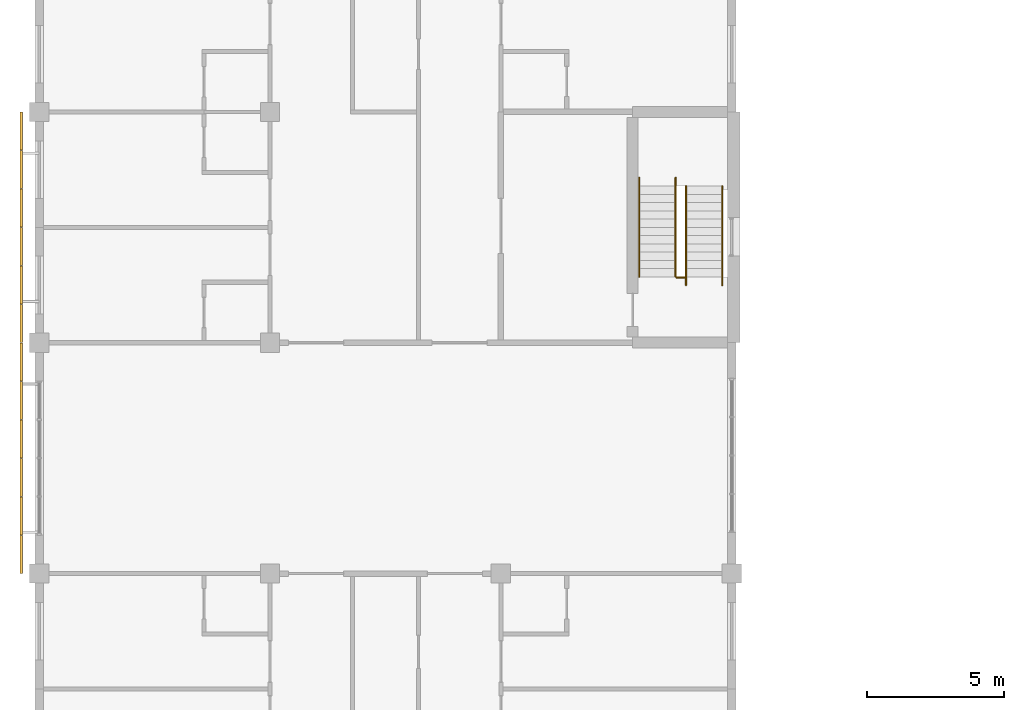
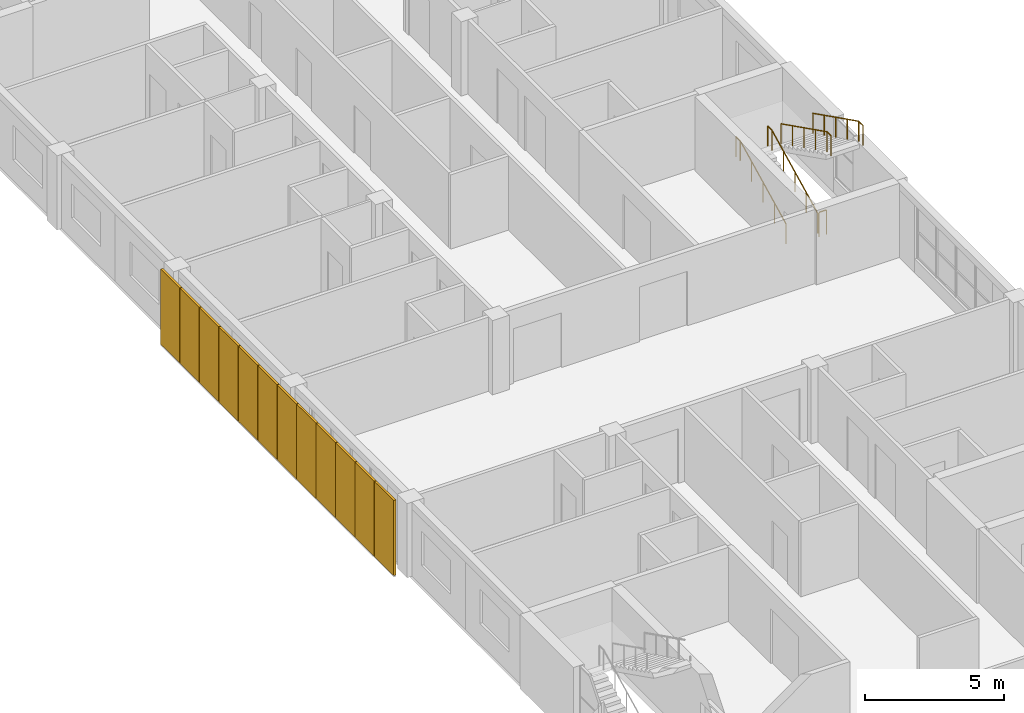
# One storey, part 42 of 45: 12 shading devices, 5 railings.
"""IFC4 building model written with IfcOpenShell, lengths in metres."""

from ifc_helpers import new_model, si_unit, direction, frame, origin, origin_2d, place, context, subcontext, project, spatial, rectangle, circle, extrude, material, layer, layer_set, type_object, element, save


model = new_model("IFC4")

# Units and contexts
model_context = context("Model", 3, precision=1e-05, world=origin(), true_north=direction((0.0, 1.0)))
body_context = subcontext(model_context, "Body", "Model", "MODEL_VIEW")
ifc_project = project(units=[si_unit("LENGTHUNIT", "METRE"), si_unit("AREAUNIT", "SQUARE_METRE"), si_unit("VOLUMEUNIT", "CUBIC_METRE"), si_unit("PLANEANGLEUNIT", "RADIAN"), si_unit("MASSUNIT", "GRAM", prefix="KILO")], contexts=[model_context])

# Site, building, storey
site_placement = place(None, origin())
site = spatial("IfcSite", under=ifc_project, at=site_placement, CompositionType="ELEMENT")
building_placement = place(site_placement, origin())
building = spatial("IfcBuilding", under=site, at=building_placement, Name="Yavir Park General Hospital", CompositionType="ELEMENT")
storey_placement = place(building_placement, frame((0.0, 0.0, 22.5)))
storey = spatial("IfcBuildingStorey", under=building, at=storey_placement, Name="L05", CompositionType="ELEMENT", Elevation=22.5)

# Shading devices
ifc_material_1 = material(Name="Precast concrete perforated block panel", Category="concrete")
ifc_layer = layer(ifc_material_1, 0.092041015625)
ifc_layer_set = layer_set([ifc_layer], Name="Precast concrete perforated block panel")
shading_device_type = type_object("IfcShadingDeviceType", Name="Precast breeze-block screen panel 1380 x 3300 x 92", PredefinedType="JALOUSIE", material=ifc_layer_set)
for number, where, z_axis, x_axis, name in (
    (1, (-0.64990234375, 34.300048828125, 0.0), (0.0, 0.0, 1.0), (1.0, 0.0, 0.0), "Screen panel W5.3.1"),
    (2, (-0.64990234375, 35.699951171875, 0.0), (0.0, 0.0, 1.0), (1.0, 0.0, 0.0), "Screen panel W5.3.2"),
    (3, (-0.64990234375, 37.10009765625, 0.0), (0.0, 0.0, 1.0), (1.0, 0.0, 0.0), "Screen panel W5.3.3"),
    (4, (-0.64990234375, 38.5, 0.0), (0.0, 0.0, 1.0), (1.0, 0.0, 0.0), "Screen panel W5.3.4"),
    (5, (-0.64990234375, 39.89990234375, 0.0), (0.0, 0.0, 1.0), (1.0, 0.0, 0.0), "Screen panel W5.3.5"),
    (6, (-0.64990234375, 41.300048828125, 0.0), (0.0, 0.0, 1.0), (1.0, 0.0, 0.0), "Screen panel W5.3.6"),
    (7, (-0.64990234375, 42.699951171875, 0.0), (0.0, 0.0, 1.0), (1.0, 0.0, 0.0), "Screen panel W6.3.1"),
    (8, (-0.64990234375, 44.10009765625, 0.0), (0.0, 0.0, 1.0), (1.0, 0.0, 0.0), "Screen panel W6.3.2"),
    (9, (-0.64990234375, 45.5, 0.0), (0.0, 0.0, 1.0), (1.0, 0.0, 0.0), "Screen panel W6.3.3"),
    (10, (-0.64990234375, 46.89990234375, 0.0), (0.0, 0.0, 1.0), (1.0, 0.0, 0.0), "Screen panel W6.3.4"),
    (11, (-0.64990234375, 48.300048828125, 0.0), (0.0, 0.0, 1.0), (1.0, 0.0, 0.0), "Screen panel W6.3.5"),
    (12, (-0.64990234375, 49.699951171875, 0.0), (0.0, 0.0, 1.0), (1.0, 0.0, 0.0), "Screen panel W6.3.6"),
):
    element("IfcShadingDevice", number, at=place(storey_placement, frame(where, z_axis=z_axis, x_axis=x_axis)), inside=storey, type_object=shading_device_type, Name=name, PredefinedType="JALOUSIE", context=body_context, shape_type="SweptSolid", body=[
        extrude(rectangle(XDim=0.092041015625, YDim=1.3798828125, at=origin_2d()), origin(), (0.0, 0.0, 1.0), 3.300048828125),
    ])

# Railings
ifc_material_2 = material(Name="Steel balustrade with infill rods", Category="steel")
railing_type_1 = type_object("IfcRailingType", Name="Stair guard, steel balustrade 1100 mm", PredefinedType="GUARDRAIL", material=ifc_material_2)
railing_placement = place(storey_placement, frame((23.199951171875, 44.3701171875, 0.0)))
element("IfcRailing", 13, at=railing_placement, inside=storey, type_object=railing_type_1, Name="Stair well guard SW1 L05", PredefinedType="GUARDRAIL", context=body_context, shape_type="SweptSolid", body=[
    extrude(circle(Radius=0.02392578125, at=origin_2d()), frame((0.0, 0.0, 1.076171875), z_axis=(1.0, 0.0, 0.0), x_axis=(0.0, 1.0, 0.0)), (0.0, 0.0, 1.0), 0.300048828125),
    extrude(circle(Radius=0.02099609375, at=origin_2d()), origin(), (0.0, 0.0, 1.0), 1.052001953125),
    extrude(circle(Radius=0.02099609375, at=origin_2d()), frame((0.300048828125, 0.0, 0.0)), (0.0, 0.0, 1.0), 1.052001953125),
])
ifc_material_3 = material(Name="Stainless steel tube 48 mm", Category="steel")
railing_type_2 = type_object("IfcRailingType", Name="Stair handrail, steel tube, 900 mm above the nosings", PredefinedType="HANDRAIL", material=ifc_material_3)
for number, where, name in (
    (14, (21.840087890625, 44.39990234375, 0.14990234375), "Handrail SW1 L05 1"),
    (15, (23.159912109375, 44.39990234375, 0.14990234375), "Handrail SW1 L05 2"),
):
    element("IfcRailing", number, at=place(storey_placement, frame(where)), inside=storey, type_object=railing_type_2, Name=name, PredefinedType="HANDRAIL", context=body_context, shape_type="SweptSolid", body=[
        extrude(circle(Radius=0.02392578125, at=origin_2d()), frame((0.0, 0.0, 0.8759765625), z_axis=(0.0, 0.894413956696, 0.447240063129), x_axis=(-1.0, 0.0, 0.0)), (0.0, 0.0, 1.0), 3.689697265625),
        extrude(circle(Radius=0.02392578125, at=origin_2d()), frame((0.0, 3.300048828125, 2.52587890625), z_axis=(0.0, 1.0, 0.0), x_axis=(-1.0, 0.0, 0.0)), (0.0, 0.0, 1.0), 0.300048828125),
        extrude(circle(Radius=0.02099609375, at=origin_2d()), origin(), (0.0, 0.0, 1.0), 0.851806640625),
        extrude(circle(Radius=0.02099609375, at=origin_2d()), frame((0.0, 0.824951171875, 0.41259765625)), (0.0, 0.0, 1.0), 0.851806640625),
        extrude(circle(Radius=0.02099609375, at=origin_2d()), frame((0.0, 1.64990234375, 0.8251953125)), (0.0, 0.0, 1.0), 0.851806640625),
        extrude(circle(Radius=0.02099609375, at=origin_2d()), frame((0.0, 2.47509765625, 1.237548828125)), (0.0, 0.0, 1.0), 0.851806640625),
        extrude(circle(Radius=0.02099609375, at=origin_2d()), frame((0.0, 3.300048828125, 1.650146484375)), (0.0, 0.0, 1.0), 0.851806640625),
        extrude(circle(Radius=0.02099609375, at=origin_2d()), frame((0.0, 3.60009765625, 1.650146484375)), (0.0, 0.0, 1.0), 0.851806640625),
    ])
for number, where, name in (
    (16, (24.860107421875, 47.699951171875, 1.949951171875), "Handrail SW1 L05 3"),
    (17, (23.5400390625, 47.699951171875, 1.949951171875), "Handrail SW1 L05 4"),
):
    element("IfcRailing", number, at=place(storey_placement, frame(where)), inside=storey, type_object=railing_type_2, Name=name, PredefinedType="HANDRAIL", context=body_context, shape_type="SweptSolid", body=[
        extrude(circle(Radius=0.02392578125, at=origin_2d()), frame((0.0, 0.0, 0.8759765625), z_axis=(0.0, -0.894413956696, 0.447240063129), x_axis=(1.0, 0.0, 0.0)), (0.0, 0.0, 1.0), 3.689697265625),
        extrude(circle(Radius=0.02392578125, at=origin_2d()), frame((0.0, -3.300048828125, 2.52587890625), z_axis=(0.0, -1.0, 0.0), x_axis=(1.0, 0.0, 0.0)), (0.0, 0.0, 1.0), 0.2998046875),
        extrude(circle(Radius=0.02099609375, at=origin_2d()), origin(), (0.0, 0.0, 1.0), 0.851806640625),
        extrude(circle(Radius=0.02099609375, at=origin_2d()), frame((0.0, -0.824951171875, 0.41259765625)), (0.0, 0.0, 1.0), 0.851806640625),
        extrude(circle(Radius=0.02099609375, at=origin_2d()), frame((0.0, -1.64990234375, 0.8251953125)), (0.0, 0.0, 1.0), 0.851806640625),
        extrude(circle(Radius=0.02099609375, at=origin_2d()), frame((0.0, -2.47509765625, 1.237548828125)), (0.0, 0.0, 1.0), 0.851806640625),
        extrude(circle(Radius=0.02099609375, at=origin_2d()), frame((0.0, -3.300048828125, 1.650146484375)), (0.0, 0.0, 1.0), 0.851806640625),
        extrude(circle(Radius=0.02099609375, at=origin_2d()), frame((0.0, -3.599853515625, 1.650146484375)), (0.0, 0.0, 1.0), 0.851806640625),
    ])

save(model, "model.ifc")
